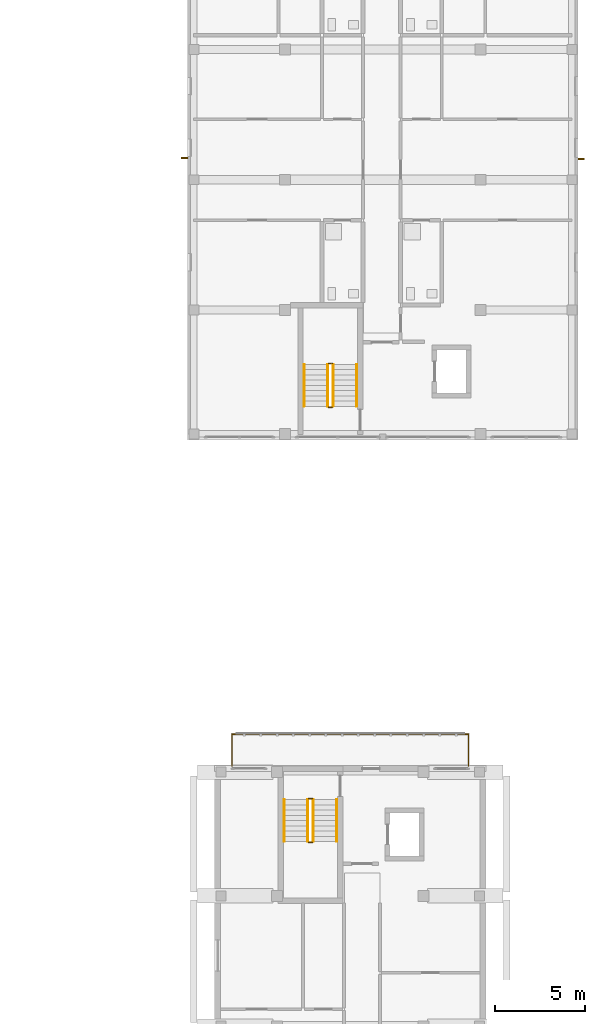
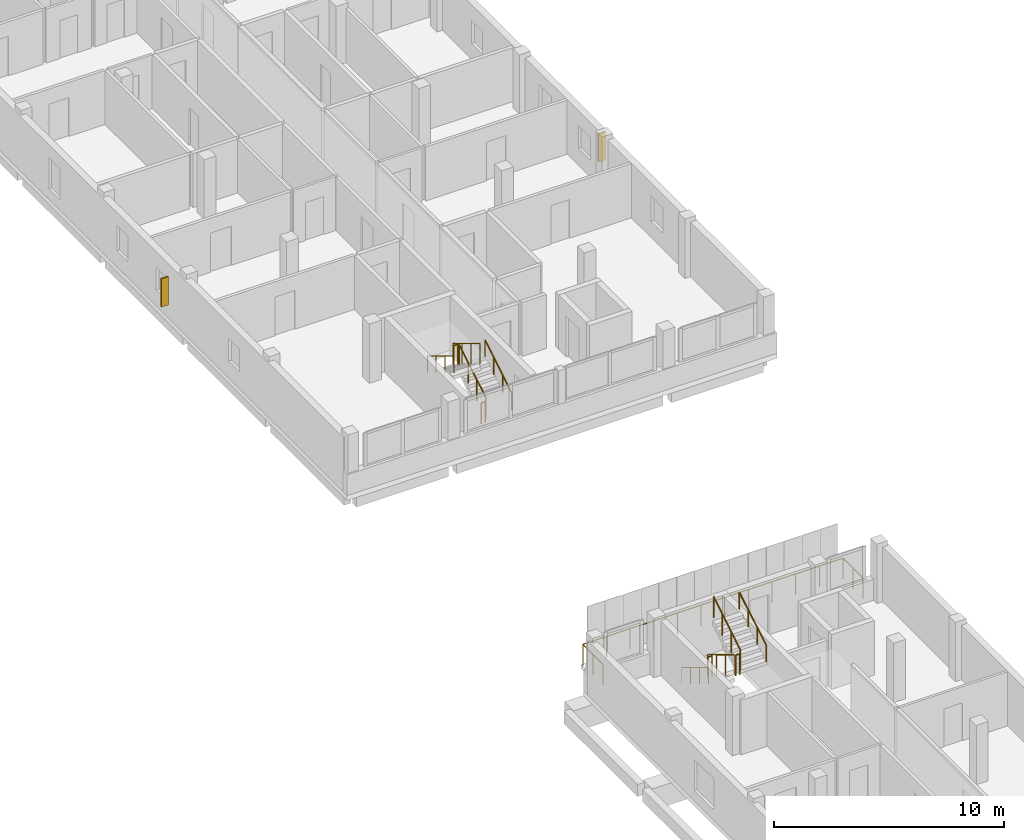
# One storey, part 34 of 38: 13 railings, 2 shading devices.
"""IFC4 building model written with IfcOpenShell, lengths in metres."""

from ifc_helpers import new_model, si_unit, derived_unit, direction, frame, origin, origin_2d, place, context, subcontext, project, spatial, rectangle, circle, extrude, material, type_object, element, save


model = new_model("IFC4")

# Units and contexts
model_context = context("Model", 3, precision=1e-05, world=origin(), true_north=direction((0.0, 1.0)))
body_context = subcontext(model_context, "Body", "Model", "MODEL_VIEW")
ifc_project = project(units=[si_unit("LENGTHUNIT", "METRE"), si_unit("AREAUNIT", "SQUARE_METRE"), si_unit("VOLUMEUNIT", "CUBIC_METRE"), si_unit("PLANEANGLEUNIT", "RADIAN"), si_unit("MASSUNIT", "GRAM", prefix="KILO"), derived_unit("THERMALTRANSMITTANCEUNIT", [(si_unit("MASSUNIT", "GRAM", prefix="KILO"), 1), (si_unit("TIMEUNIT", "SECOND"), -3), (si_unit("THERMODYNAMICTEMPERATUREUNIT", "KELVIN"), -1)])], contexts=[model_context])

# Site, building, storey
site_placement = place(None, origin())
site = spatial("IfcSite", under=ifc_project, at=site_placement, CompositionType="ELEMENT")
building_placement = place(site_placement, origin())
building = spatial("IfcBuilding", under=site, at=building_placement, Name="Ochrekiln Boulevard Commons", CompositionType="ELEMENT")
storey_placement = place(building_placement, frame((0.0, 0.0, 24.675048828125)))
storey = spatial("IfcBuildingStorey", under=building, at=storey_placement, Name="L07", CompositionType="ELEMENT", Elevation=24.675048828125)

# Railings
ifc_material_1 = material(Name="Bronze-anodized extruded aluminium 6063-T6", Category="aluminium")
railing_type_1 = type_object("IfcRailingType", Name="RLG-BAL-1120", PredefinedType="BALUSTRADE", material=ifc_material_1)
railing_1_placement = place(storey_placement, frame((153.659912109375, 50.39990234375, 0.0)))
element("IfcRailing", 1, at=railing_1_placement, inside=storey, type_object=railing_type_1, Name="Block C L07 Screened Balcony Guard", PredefinedType="BALUSTRADE", context=body_context, shape_type="SweptSolid", body=[
    extrude(circle(Radius=0.02392578125, at=origin_2d()), frame((0.0, 0.0, 1.09619140625), z_axis=(0.0, 1.0, 0.0), x_axis=(-1.0, 0.0, 0.0)), (0.0, 0.0, 1.0), 1.739990234375),
    extrude(circle(Radius=0.02392578125, at=origin_2d()), frame((0.0, 1.739990234375, 1.09619140625), z_axis=(1.0, 0.0, 0.0), x_axis=(0.0, 1.0, 0.0)), (0.0, 0.0, 1.0), 13.080078125),
    extrude(circle(Radius=0.02392578125, at=origin_2d()), frame((13.080078125, 1.739990234375, 1.09619140625), z_axis=(0.0, -1.0, 0.0), x_axis=(1.0, 0.0, 0.0)), (0.0, 0.0, 1.0), 1.739990234375),
    extrude(circle(Radius=0.02099609375, at=origin_2d()), origin(), (0.0, 0.0, 1.0), 1.072021484375),
    extrude(circle(Radius=0.02099609375, at=origin_2d()), frame((0.0, 0.8701171875, 0.0)), (0.0, 0.0, 1.0), 1.072021484375),
    extrude(circle(Radius=0.02099609375, at=origin_2d()), frame((0.0, 1.739990234375, 0.0)), (0.0, 0.0, 1.0), 1.072021484375),
    extrude(circle(Radius=0.02099609375, at=origin_2d()), frame((1.189208984375, 1.739990234375, 0.0)), (0.0, 0.0, 1.0), 1.072021484375),
    extrude(circle(Radius=0.02099609375, at=origin_2d()), frame((2.378173828125, 1.739990234375, 0.0)), (0.0, 0.0, 1.0), 1.072021484375),
    extrude(circle(Radius=0.02099609375, at=origin_2d()), frame((3.5673828125, 1.739990234375, 0.0)), (0.0, 0.0, 1.0), 1.072021484375),
    extrude(circle(Radius=0.02099609375, at=origin_2d()), frame((4.75634765625, 1.739990234375, 0.0)), (0.0, 0.0, 1.0), 1.072021484375),
    extrude(circle(Radius=0.02099609375, at=origin_2d()), frame((5.945556640625, 1.739990234375, 0.0)), (0.0, 0.0, 1.0), 1.072021484375),
    extrude(circle(Radius=0.02099609375, at=origin_2d()), frame((7.134521484375, 1.739990234375, 0.0)), (0.0, 0.0, 1.0), 1.072021484375),
    extrude(circle(Radius=0.02099609375, at=origin_2d()), frame((8.32373046875, 1.739990234375, 0.0)), (0.0, 0.0, 1.0), 1.072021484375),
    extrude(circle(Radius=0.02099609375, at=origin_2d()), frame((9.5126953125, 1.739990234375, 0.0)), (0.0, 0.0, 1.0), 1.072021484375),
    extrude(circle(Radius=0.02099609375, at=origin_2d()), frame((10.701904296875, 1.739990234375, 0.0)), (0.0, 0.0, 1.0), 1.072021484375),
    extrude(circle(Radius=0.02099609375, at=origin_2d()), frame((11.890869140625, 1.739990234375, 0.0)), (0.0, 0.0, 1.0), 1.072021484375),
    extrude(circle(Radius=0.02099609375, at=origin_2d()), frame((13.080078125, 1.739990234375, 0.0)), (0.0, 0.0, 1.0), 1.072021484375),
    extrude(circle(Radius=0.02099609375, at=origin_2d()), frame((13.080078125, 0.8701171875, 0.0)), (0.0, 0.0, 1.0), 1.072021484375),
    extrude(circle(Radius=0.02099609375, at=origin_2d()), frame((13.080078125, 0.0, 0.0)), (0.0, 0.0, 1.0), 1.072021484375),
])
ifc_material_2 = material(Name="Brushed stainless steel 316 tubular railing", Category="steel")
railing_type_2 = type_object("IfcRailingType", Name="RLG-HDR-900", PredefinedType="HANDRAIL", material=ifc_material_2)
railing_2_placement = place(storey_placement, frame((160.550048828125, 70.27001953125, 0.175048828125)))
element("IfcRailing", 2, at=railing_2_placement, inside=storey, type_object=railing_type_2, Name="L07 ST-B1 stair handrail 1", PredefinedType="HANDRAIL", context=body_context, shape_type="SweptSolid", body=[
    extrude(circle(Radius=0.02392578125, at=origin_2d()), frame((0.0, 0.0, 0.8759765625), z_axis=(0.0, 0.85621033714, 0.516627388526), x_axis=(-1.0, 0.0, 0.0)), (0.0, 0.0, 1.0), 2.709716796875),
    extrude(circle(Radius=0.02099609375, at=origin_2d()), origin(), (0.0, 0.0, 1.0), 0.851806640625),
    extrude(circle(Radius=0.02099609375, at=origin_2d()), frame((0.0, 0.7734375, 0.466552734375)), (0.0, 0.0, 1.0), 0.851806640625),
    extrude(circle(Radius=0.02099609375, at=origin_2d()), frame((0.0, 1.546630859375, 0.933349609375)), (0.0, 0.0, 1.0), 0.851806640625),
    extrude(circle(Radius=0.02099609375, at=origin_2d()), frame((0.0, 2.320068359375, 1.39990234375)), (0.0, 0.0, 1.0), 0.851806640625),
])
for number, where, name in (
    (3, (157.64990234375, 72.590087890625, 1.75), "L07 ST-B1 stair handrail 2"),
    (4, (156.550048828125, 48.530029296875, 0.175048828125), "L07 ST-C2 stair handrail 1"),
):
    element("IfcRailing", number, at=place(storey_placement, frame(where)), inside=storey, type_object=railing_type_2, Name=name, PredefinedType="HANDRAIL", context=body_context, shape_type="SweptSolid", body=[
        extrude(circle(Radius=0.02392578125, at=origin_2d()), frame((0.0, 0.0, 0.8759765625), z_axis=(0.0, -0.85621033714, 0.516627388526), x_axis=(1.0, 0.0, 0.0)), (0.0, 0.0, 1.0), 2.709716796875),
        extrude(circle(Radius=0.02099609375, at=origin_2d()), origin(), (0.0, 0.0, 1.0), 0.851806640625),
        extrude(circle(Radius=0.02099609375, at=origin_2d()), frame((0.0, -0.7734375, 0.466552734375)), (0.0, 0.0, 1.0), 0.851806640625),
        extrude(circle(Radius=0.02099609375, at=origin_2d()), frame((0.0, -1.546630859375, 0.933349609375)), (0.0, 0.0, 1.0), 0.851806640625),
        extrude(circle(Radius=0.02099609375, at=origin_2d()), frame((0.0, -2.320068359375, 1.39990234375)), (0.0, 0.0, 1.0), 0.851806640625),
    ])
railing_3_placement = place(storey_placement, frame((159.449951171875, 46.2099609375, 1.75)))
element("IfcRailing", 5, at=railing_3_placement, inside=storey, type_object=railing_type_2, Name="L07 ST-C2 stair handrail 2", PredefinedType="HANDRAIL", context=body_context, shape_type="SweptSolid", body=[
    extrude(circle(Radius=0.02392578125, at=origin_2d()), frame((0.0, 0.0, 0.8759765625), z_axis=(0.0, 0.85621033714, 0.516627388526), x_axis=(-1.0, 0.0, 0.0)), (0.0, 0.0, 1.0), 2.709716796875),
    extrude(circle(Radius=0.02099609375, at=origin_2d()), origin(), (0.0, 0.0, 1.0), 0.851806640625),
    extrude(circle(Radius=0.02099609375, at=origin_2d()), frame((0.0, 0.7734375, 0.466552734375)), (0.0, 0.0, 1.0), 0.851806640625),
    extrude(circle(Radius=0.02099609375, at=origin_2d()), frame((0.0, 1.546630859375, 0.933349609375)), (0.0, 0.0, 1.0), 0.851806640625),
    extrude(circle(Radius=0.02099609375, at=origin_2d()), frame((0.0, 2.320068359375, 1.39990234375)), (0.0, 0.0, 1.0), 0.851806640625),
])
railing_type_3 = type_object("IfcRailingType", Name="RLG-STR-1120", PredefinedType="BALUSTRADE", material=ifc_material_2)
railing_4_placement = place(storey_placement, frame((159.25, 70.27001953125, 0.175048828125)))
element("IfcRailing", 6, at=railing_4_placement, inside=storey, type_object=railing_type_3, Name="L07 ST-B1 stair guard 1", PredefinedType="BALUSTRADE", context=body_context, shape_type="SweptSolid", body=[
    extrude(circle(Radius=0.02392578125, at=origin_2d()), frame((0.0, 0.0, 1.09619140625), z_axis=(0.0, 0.85621033714, 0.516627388526), x_axis=(-1.0, 0.0, 0.0)), (0.0, 0.0, 1.0), 2.709716796875),
    extrude(circle(Radius=0.02099609375, at=origin_2d()), origin(), (0.0, 0.0, 1.0), 1.072021484375),
    extrude(circle(Radius=0.02099609375, at=origin_2d()), frame((0.0, 0.7734375, 0.466552734375)), (0.0, 0.0, 1.0), 1.072021484375),
    extrude(circle(Radius=0.02099609375, at=origin_2d()), frame((0.0, 1.546630859375, 0.933349609375)), (0.0, 0.0, 1.0), 1.072021484375),
    extrude(circle(Radius=0.02099609375, at=origin_2d()), frame((0.0, 2.320068359375, 1.39990234375)), (0.0, 0.0, 1.0), 1.072021484375),
])
railing_5_placement = place(storey_placement, frame((159.199951171875, 72.639892578125, 1.574951171875)))
element("IfcRailing", 7, at=railing_5_placement, inside=storey, type_object=railing_type_3, Name="L07 ST-B1 stair guard 2", PredefinedType="BALUSTRADE", context=body_context, shape_type="SweptSolid", body=[
    extrude(circle(Radius=0.02392578125, at=origin_2d()), frame((0.0, 0.0, 1.09619140625), z_axis=(-1.0, 0.0, 0.0), x_axis=(0.0, -1.0, 0.0)), (0.0, 0.0, 1.0), 0.199951171875),
    extrude(circle(Radius=0.02099609375, at=origin_2d()), origin(), (0.0, 0.0, 1.0), 1.072021484375),
    extrude(circle(Radius=0.02099609375, at=origin_2d()), frame((-0.199951171875, 0.0, 0.0)), (0.0, 0.0, 1.0), 1.072021484375),
])
railing_6_placement = place(storey_placement, frame((158.949951171875, 72.590087890625, 1.75)))
element("IfcRailing", 8, at=railing_6_placement, inside=storey, type_object=railing_type_3, Name="L07 ST-B1 stair guard 3", PredefinedType="BALUSTRADE", context=body_context, shape_type="SweptSolid", body=[
    extrude(circle(Radius=0.02392578125, at=origin_2d()), frame((0.0, 0.0, 1.09619140625), z_axis=(0.0, -0.85621033714, 0.516627388526), x_axis=(1.0, 0.0, 0.0)), (0.0, 0.0, 1.0), 2.709716796875),
    extrude(circle(Radius=0.02099609375, at=origin_2d()), origin(), (0.0, 0.0, 1.0), 1.072021484375),
    extrude(circle(Radius=0.02099609375, at=origin_2d()), frame((0.0, -0.7734375, 0.466552734375)), (0.0, 0.0, 1.0), 1.072021484375),
    extrude(circle(Radius=0.02099609375, at=origin_2d()), frame((0.0, -1.546630859375, 0.933349609375)), (0.0, 0.0, 1.0), 1.072021484375),
    extrude(circle(Radius=0.02099609375, at=origin_2d()), frame((0.0, -2.320068359375, 1.39990234375)), (0.0, 0.0, 1.0), 1.072021484375),
])
railing_7_placement = place(storey_placement, frame((159.199951171875, 70.219970703125, 0.0)))
element("IfcRailing", 9, at=railing_7_placement, inside=storey, type_object=railing_type_3, Name="L07 ST-B1 stair guard 4", PredefinedType="BALUSTRADE", context=body_context, shape_type="SweptSolid", body=[
    extrude(circle(Radius=0.02392578125, at=origin_2d()), frame((0.0, 0.0, 1.09619140625), z_axis=(-1.0, 0.0, 0.0), x_axis=(0.0, -1.0, 0.0)), (0.0, 0.0, 1.0), 0.199951171875),
    extrude(circle(Radius=0.02099609375, at=origin_2d()), origin(), (0.0, 0.0, 1.0), 1.072021484375),
    extrude(circle(Radius=0.02099609375, at=origin_2d()), frame((-0.199951171875, 0.0, 0.0)), (0.0, 0.0, 1.0), 1.072021484375),
])
railing_8_placement = place(storey_placement, frame((157.85009765625, 48.530029296875, 0.175048828125)))
element("IfcRailing", 10, at=railing_8_placement, inside=storey, type_object=railing_type_3, Name="L07 ST-C2 stair guard 1", PredefinedType="BALUSTRADE", context=body_context, shape_type="SweptSolid", body=[
    extrude(circle(Radius=0.02392578125, at=origin_2d()), frame((0.0, 0.0, 1.09619140625), z_axis=(0.0, -0.85621033714, 0.516627388526), x_axis=(1.0, 0.0, 0.0)), (0.0, 0.0, 1.0), 2.709716796875),
    extrude(circle(Radius=0.02099609375, at=origin_2d()), origin(), (0.0, 0.0, 1.0), 1.072021484375),
    extrude(circle(Radius=0.02099609375, at=origin_2d()), frame((0.0, -0.7734375, 0.466552734375)), (0.0, 0.0, 1.0), 1.072021484375),
    extrude(circle(Radius=0.02099609375, at=origin_2d()), frame((0.0, -1.546630859375, 0.933349609375)), (0.0, 0.0, 1.0), 1.072021484375),
    extrude(circle(Radius=0.02099609375, at=origin_2d()), frame((0.0, -2.320068359375, 1.39990234375)), (0.0, 0.0, 1.0), 1.072021484375),
])
railing_9_placement = place(storey_placement, frame((157.89990234375, 46.159912109375, 1.574951171875)))
element("IfcRailing", 11, at=railing_9_placement, inside=storey, type_object=railing_type_3, Name="L07 ST-C2 stair guard 2", PredefinedType="BALUSTRADE", context=body_context, shape_type="SweptSolid", body=[
    extrude(circle(Radius=0.02392578125, at=origin_2d()), frame((0.0, 0.0, 1.09619140625), z_axis=(1.0, 0.0, 0.0), x_axis=(0.0, 1.0, 0.0)), (0.0, 0.0, 1.0), 0.2001953125),
    extrude(circle(Radius=0.02099609375, at=origin_2d()), origin(), (0.0, 0.0, 1.0), 1.072021484375),
    extrude(circle(Radius=0.02099609375, at=origin_2d()), frame((0.2001953125, 0.0, 0.0)), (0.0, 0.0, 1.0), 1.072021484375),
])
railing_10_placement = place(storey_placement, frame((158.14990234375, 46.2099609375, 1.75)))
element("IfcRailing", 12, at=railing_10_placement, inside=storey, type_object=railing_type_3, Name="L07 ST-C2 stair guard 3", PredefinedType="BALUSTRADE", context=body_context, shape_type="SweptSolid", body=[
    extrude(circle(Radius=0.02392578125, at=origin_2d()), frame((0.0, 0.0, 1.09619140625), z_axis=(0.0, 0.85621033714, 0.516627388526), x_axis=(-1.0, 0.0, 0.0)), (0.0, 0.0, 1.0), 2.709716796875),
    extrude(circle(Radius=0.02099609375, at=origin_2d()), origin(), (0.0, 0.0, 1.0), 1.072021484375),
    extrude(circle(Radius=0.02099609375, at=origin_2d()), frame((0.0, 0.7734375, 0.466552734375)), (0.0, 0.0, 1.0), 1.072021484375),
    extrude(circle(Radius=0.02099609375, at=origin_2d()), frame((0.0, 1.546630859375, 0.933349609375)), (0.0, 0.0, 1.0), 1.072021484375),
    extrude(circle(Radius=0.02099609375, at=origin_2d()), frame((0.0, 2.320068359375, 1.39990234375)), (0.0, 0.0, 1.0), 1.072021484375),
])
railing_11_placement = place(storey_placement, frame((157.89990234375, 48.580078125, 0.0)))
element("IfcRailing", 13, at=railing_11_placement, inside=storey, type_object=railing_type_3, Name="L07 ST-C2 stair guard 4", PredefinedType="BALUSTRADE", context=body_context, shape_type="SweptSolid", body=[
    extrude(circle(Radius=0.02392578125, at=origin_2d()), frame((0.0, 0.0, 1.09619140625), z_axis=(1.0, 0.0, 0.0), x_axis=(0.0, 1.0, 0.0)), (0.0, 0.0, 1.0), 0.2001953125),
    extrude(circle(Radius=0.02099609375, at=origin_2d()), origin(), (0.0, 0.0, 1.0), 1.072021484375),
    extrude(circle(Radius=0.02099609375, at=origin_2d()), frame((0.2001953125, 0.0, 0.0)), (0.0, 0.0, 1.0), 1.072021484375),
])

# Shading devices
ifc_material_3 = material(Name="Glazed architectural terracotta ASTM C1405", Category="masonry")
shading_device_type = type_object("IfcShadingDeviceType", Name="SHD-FIN-TERRA", PredefinedType="JALOUSIE", material=ifc_material_3)
for number, where, z_axis, x_axis, name in (
    (14, (151.030029296875, 84.010009765625, 0.699951171875), (0.0, 0.0, 1.0), (1.0, 0.0, 0.0), "Terracotta Solar Shading Fin SF-01 (40)"),
    (15, (172.969970703125, 83.958984375, 0.75), (0.0, 0.0, 1.0), (1.0, 0.0, 0.0), "Terracotta Solar Shading Fin SF-01 (41)"),
):
    element("IfcShadingDevice", number, at=place(storey_placement, frame(where, z_axis=z_axis, x_axis=x_axis)), inside=storey, type_object=shading_device_type, Name=name, PredefinedType="JALOUSIE", context=body_context, shape_type="SweptSolid", body=[
        extrude(rectangle(XDim=0.35009765625, YDim=0.080078125, at=origin_2d()), origin(), (0.0, 0.0, 1.0), 1.5),
    ])

save(model, "model.ifc")
